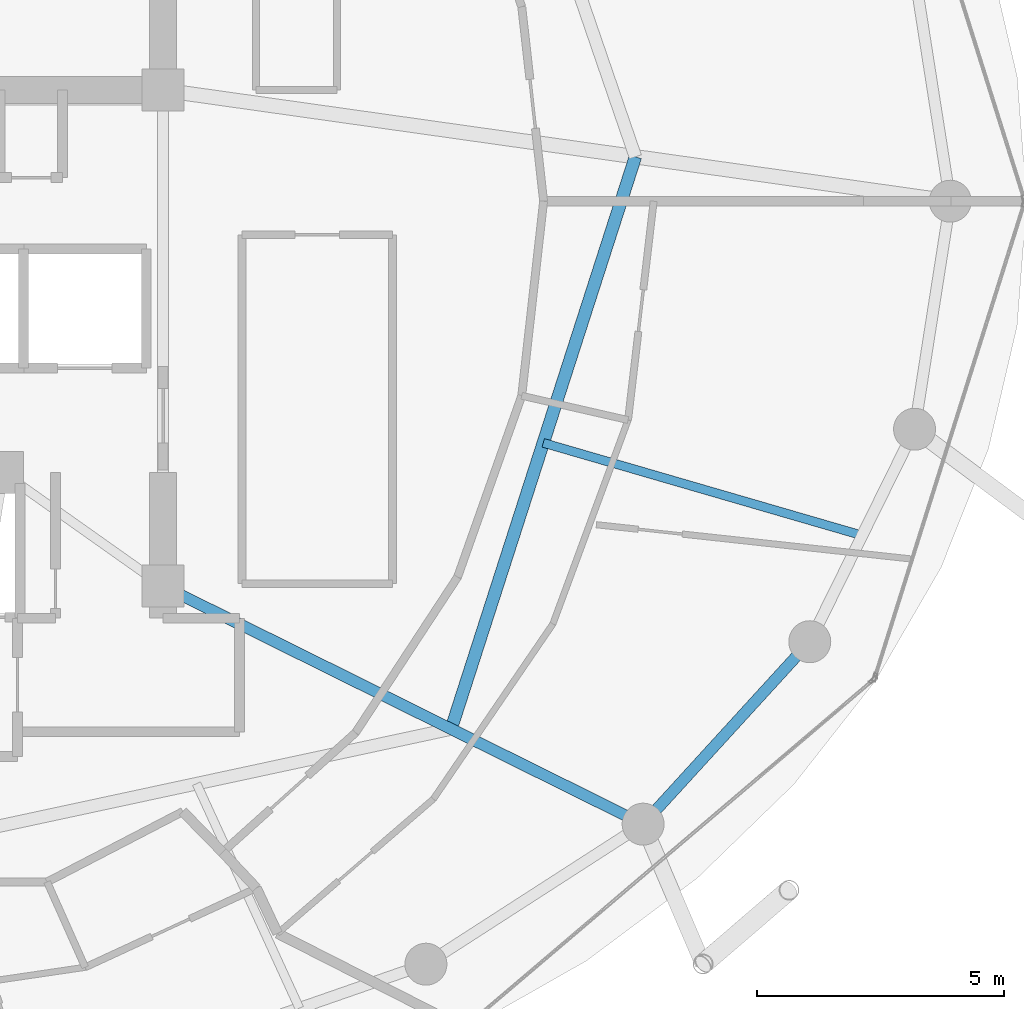
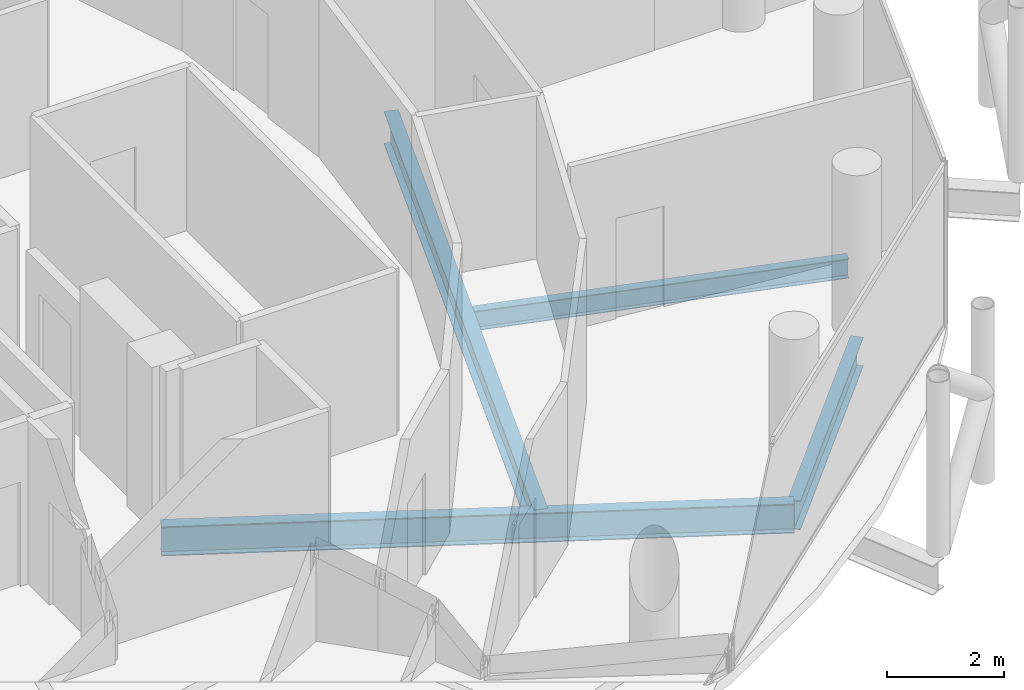
# One storey, part 12 of 27: 4 beams.
"""IFC4 building model written with IfcOpenShell, lengths in metres."""

from ifc_helpers import new_model, si_unit, direction, frame, origin, origin_2d, place, context, subcontext, project, spatial, i_section, extrude, material, material_profile, profile_set, type_object, element, save


model = new_model("IFC4")

# Units and contexts
model_context = context("Model", 3, precision=1e-05, world=origin(), true_north=direction((0.0, 1.0)))
body_context = subcontext(model_context, "Body", "Model", "MODEL_VIEW")
ifc_project = project(units=[si_unit("LENGTHUNIT", "METRE"), si_unit("AREAUNIT", "SQUARE_METRE"), si_unit("VOLUMEUNIT", "CUBIC_METRE"), si_unit("PLANEANGLEUNIT", "RADIAN"), si_unit("MASSUNIT", "GRAM", prefix="KILO")], contexts=[model_context])

# Site, building, storey
site_placement = place(None, origin())
site = spatial("IfcSite", under=ifc_project, at=site_placement, CompositionType="ELEMENT")
building_placement = place(site_placement, origin())
building = spatial("IfcBuilding", under=site, at=building_placement, Name="Nuhasar Tower", CompositionType="ELEMENT")
storey_placement = place(building_placement, frame((0.0, 0.0, 226.39990234375)))
storey = spatial("IfcBuildingStorey", under=building, at=storey_placement, Name="L55", CompositionType="ELEMENT", Elevation=226.39990234375)

# Beams
ifc_material = material(Name="Steel S355", Category="steel")
ifc_material_profile_1 = material_profile(ifc_material, i_section(OverallWidth=0.25390625, OverallDepth=0.68408203125, WebThickness=0.012451171875, FlangeThickness=0.018798828125, at=origin_2d()), Name="W27X94")
ifc_profile_set_1 = profile_set([ifc_material_profile_1], Name="Steel S355")
beam_type_1 = type_object("IfcBeamType", Name="BM-INRING-W27X94", PredefinedType="BEAM", material=ifc_profile_set_1)
beam_1_placement = place(storey_placement, frame((50.135986328125, 16.10693359375, -0.581787109375), z_axis=(0.306589852134, 0.951841721385, 0.0), x_axis=(-0.951841721385, 0.306589852134, 0.0)))
element("IfcBeam", 1, at=beam_1_placement, inside=storey, type_object=beam_type_1, Name="L55 Inner Header Beam 03", PredefinedType="BEAM", context=body_context, shape_type="SweptSolid", body=[
    extrude(i_section(OverallWidth=0.25390625, OverallDepth=0.68408203125, WebThickness=0.012451171875, FlangeThickness=0.018798828125, at=origin_2d()), origin(), (0.0, 0.0, 1.0), 12.179443359375),
])
ifc_material_profile_2 = material_profile(ifc_material, i_section(OverallWidth=0.177978515625, OverallDepth=0.406005859375, WebThickness=0.0078125, FlangeThickness=0.0126953125, at=origin_2d()), Name="W16X40")
ifc_profile_set_2 = profile_set([ifc_material_profile_2], Name="Steel S355")
beam_type_2 = type_object("IfcBeamType", Name="BM-JST-W16X40", PredefinedType="JOIST", material=ifc_profile_set_2)
beam_2_placement = place(storey_placement, frame((52.0029296875, 21.904052734375, -0.44287109375), z_axis=(0.960312689798, -0.27892568511, 0.0), x_axis=(0.27892568511, 0.960312689798, 0.0)))
element("IfcBeam", 2, at=beam_2_placement, inside=storey, type_object=beam_type_2, Name="L55 Secondary Floor Joist 03", PredefinedType="JOIST", context=body_context, shape_type="SweptSolid", body=[
    extrude(i_section(OverallWidth=0.177978515625, OverallDepth=0.406005859375, WebThickness=0.0078125, FlangeThickness=0.0126953125, at=origin_2d()), origin(), (0.0, 0.0, 1.0), 6.729248046875),
])
ifc_material_profile_3 = material_profile(ifc_material, i_section(OverallWidth=0.22900390625, OverallDepth=0.612060546875, WebThickness=0.011962890625, FlangeThickness=0.01953125, at=origin_2d()), Name="W24X84")
ifc_profile_set_3 = profile_set([ifc_material_profile_3], Name="Steel S355")
beam_type_3 = type_object("IfcBeamType", Name="BM-RAD-W24X84", PredefinedType="BEAM", material=ifc_profile_set_3)
beam_3_placement = place(storey_placement, frame((44.300048828125, 19.0, -0.5458984375), z_axis=(0.895928935233, -0.444197414459, 0.0), x_axis=(0.444197414459, 0.895928935233, 0.0)))
element("IfcBeam", 3, at=beam_3_placement, inside=storey, type_object=beam_type_3, Name="L55 Radial Floor Girder 03", PredefinedType="BEAM", context=body_context, shape_type="SweptSolid", body=[
    extrude(i_section(OverallWidth=0.22900390625, OverallDepth=0.612060546875, WebThickness=0.011962890625, FlangeThickness=0.01953125, at=origin_2d()), origin(), (0.0, 0.0, 1.0), 10.85546875),
])
ifc_material_profile_4 = material_profile(ifc_material, i_section(OverallWidth=0.22802734375, OverallDepth=0.60791015625, WebThickness=0.01123046875, FlangeThickness=0.017333984375, at=origin_2d()), Name="W24X76")
ifc_profile_set_4 = profile_set([ifc_material_profile_4], Name="Steel S355")
beam_type_4 = type_object("IfcBeamType", Name="BM-RING-W24X76", PredefinedType="SPANDREL", material=ifc_profile_set_4)
beam_4_placement = place(storey_placement, frame((54.02587890625, 14.177978515625, -0.5439453125), z_axis=(0.674449692975, 0.738320805373, 0.0), x_axis=(-0.738320805373, 0.674449692975, 0.0)))
element("IfcBeam", 4, at=beam_4_placement, inside=storey, type_object=beam_type_4, Name="L55 Perimeter Ring Spandrel 22", PredefinedType="SPANDREL", context=body_context, shape_type="SweptSolid", body=[
    extrude(i_section(OverallWidth=0.22802734375, OverallDepth=0.60791015625, WebThickness=0.01123046875, FlangeThickness=0.017333984375, at=origin_2d()), origin(), (0.0, 0.0, 1.0), 5.00732421875),
])

save(model, "model.ifc")
